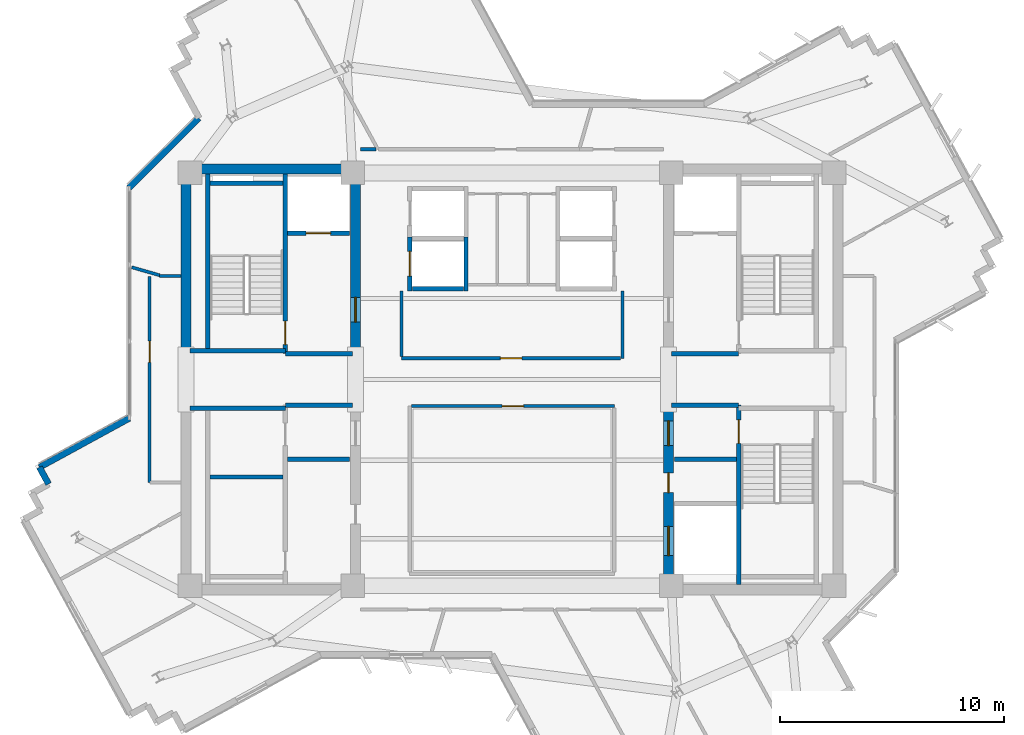
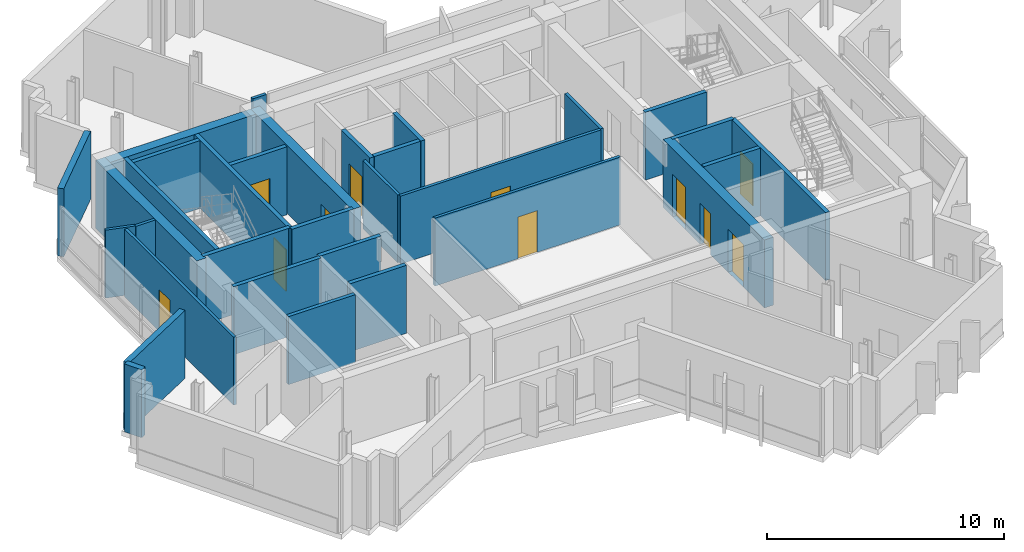
# One storey, part 6 of 13: 32 walls, 11 doors, 11 openings.
"""IFC4 building model written with IfcOpenShell, lengths in metres."""

from ifc_helpers import new_model, si_unit, direction, frame, frame_2d, origin, place, context, subcontext, project, spatial, rectangle, extrude, source, transform, mapped, material, layer, layer_set, type_object, element, fill, save


model = new_model("IFC4")

# Units and contexts
model_context = context("Model", 3, precision=1e-05, world=origin(), true_north=direction((0.0, 1.0)))
body_context = subcontext(model_context, "Body", "Model", "MODEL_VIEW")
ifc_project = project(units=[si_unit("LENGTHUNIT", "METRE"), si_unit("AREAUNIT", "SQUARE_METRE"), si_unit("VOLUMEUNIT", "CUBIC_METRE"), si_unit("PLANEANGLEUNIT", "RADIAN"), si_unit("MASSUNIT", "GRAM", prefix="KILO")], contexts=[model_context])

# Site, building, storey
site_placement = place(None, origin())
site = spatial("IfcSite", under=ifc_project, at=site_placement, CompositionType="ELEMENT")
building_placement = place(site_placement, origin())
building = spatial("IfcBuilding", under=site, at=building_placement, Name="Zahravan Cultural Tower", CompositionType="ELEMENT")
storey_placement = place(building_placement, frame((0.0, 0.0, 254.10009765625)))
storey = spatial("IfcBuildingStorey", under=building, at=storey_placement, Name="L60", CompositionType="ELEMENT", Elevation=254.10009765625)

# Wall, opening, door
ifc_material_1 = material(Name="Concrete C50/60", Category="concrete")
ifc_layer_1 = layer(ifc_material_1, 0.449951171875)
ifc_layer_set_1 = layer_set([ifc_layer_1], Name="Concrete C50/60")
wall_type_1 = type_object("IfcWallType", Name="CW-SHEAR-450-C50", PredefinedType="SHEAR", material=ifc_layer_set_1)
wall_1_placement = place(storey_placement, frame((29.02490234375, 28.050048828125, 0.0), z_axis=(0.0, 0.0, 1.0), x_axis=(0.0, 1.0, 0.0)))
wall_1 = element("IfcWall", 1, at=wall_1_placement, inside=storey, type_object=wall_type_1, Name="L60 Core Shear Wall CW-W-EN-L60", PredefinedType="SHEAR", context=body_context, shape_type="SweptSolid", body=[
    extrude(rectangle(XDim=8.550048828125, YDim=0.449951171875, at=frame_2d((4.27490234375, 0.0))), origin(), (0.0, 0.0, 1.0), 3.5),
])
opening_1_placement = place(wall_1_placement, frame((1.5, 0.0, 0.0)))
opening_1 = element("IfcOpeningElement", 2, at=opening_1_placement, cuts=wall_1, Name="Opening D-L60-06", PredefinedType="OPENING", context=body_context, shape_type="SweptSolid", body=[
    extrude(rectangle(XDim=1.10009765625, YDim=2.199951171875, at=frame_2d((0.550048828125, 1.10009765625))), frame((0.0, 0.23486328125, 0.0), z_axis=(0.0, -1.0, 0.0), x_axis=(1.0, 0.0, 0.0)), (0.0, 0.0, 1.0), 0.469970703125),
])
ifc_material_2 = material(Name="Steel ASTM A572 Grade 50", Category="steel")
door_type_1 = type_object("IfcDoorType", Name="DR-LOBBY-1100", OperationType="NOTDEFINED", PredefinedType="DOOR", material=ifc_material_2)
shared_shape_1 = source(origin(), body_context, "Body", "SweptSolid", [
    extrude(rectangle(XDim=1.10009765625, YDim=2.199951171875, at=frame_2d((0.550048828125, 1.10009765625))), frame((0.0, 0.02490234375, 0.0), z_axis=(0.0, -1.0, 0.0), x_axis=(1.0, 0.0, 0.0)), (0.0, 0.0, 1.0), 0.050048828125),
])
door_1_placement = place(opening_1_placement, origin())
door_1 = element("IfcDoor", 3, at=door_1_placement, inside=storey, type_object=door_type_1, Name="L60 Door D-L60-06", OperationType="SINGLE_SWING_RIGHT", OverallHeight=2.199951171875, OverallWidth=1.10009765625, PredefinedType="DOOR", context=body_context, shape_type="MappedRepresentation", body=[
    mapped(shared_shape_1, transform((0.0, 0.0, 0.0), x_axis=(1.0, 0.0, 0.0), y_axis=(0.0, 1.0, 0.0), z_axis=(0.0, 0.0, 1.0), scale=1.0)),
])
fill(opening_1, door_1)

# Wall, openings, doors
wall_2_placement = place(storey_placement, frame((42.97509765625, 17.39990234375, 0.0), z_axis=(0.0, 0.0, 1.0), x_axis=(0.0, 1.0, 0.0)))
wall_2 = element("IfcWall", 4, at=wall_2_placement, inside=storey, type_object=wall_type_1, Name="L60 Core Shear Wall CW-E-WS-L60", PredefinedType="SHEAR", context=body_context, shape_type="SweptSolid", body=[
    extrude(rectangle(XDim=8.550048828125, YDim=0.449951171875, at=frame_2d((4.27490234375, 0.0))), origin(), (0.0, 0.0, 1.0), 3.5),
])
opening_2_placement = place(wall_2_placement, frame((6.64990234375, 0.0, 0.0)))
opening_2 = element("IfcOpeningElement", 5, at=opening_2_placement, cuts=wall_2, Name="Opening D-L60-09", PredefinedType="OPENING", context=body_context, shape_type="SweptSolid", body=[
    extrude(rectangle(XDim=1.10009765625, YDim=2.199951171875, at=frame_2d((0.550048828125, 1.10009765625))), frame((0.0, 0.23486328125, 0.0), z_axis=(0.0, -1.0, 0.0), x_axis=(1.0, 0.0, 0.0)), (0.0, 0.0, 1.0), 0.469970703125),
])
opening_3_placement = place(wall_2_placement, frame((1.75, 0.0, 0.0)))
opening_3 = element("IfcOpeningElement", 6, at=opening_3_placement, cuts=wall_2, Name="Opening LD-L60-03", PredefinedType="OPENING", context=body_context, shape_type="SweptSolid", body=[
    extrude(rectangle(XDim=1.300048828125, YDim=2.199951171875, at=frame_2d((0.64990234375, 1.10009765625))), frame((0.0, 0.23486328125, 0.0), z_axis=(0.0, -1.0, 0.0), x_axis=(1.0, 0.0, 0.0)), (0.0, 0.0, 1.0), 0.469970703125),
])
opening_4_placement = place(wall_2_placement, frame((4.550048828125, 0.0, 0.0)))
opening_4 = element("IfcOpeningElement", 7, at=opening_4_placement, cuts=wall_2, Name="Opening D-L60-11", PredefinedType="OPENING", context=body_context, shape_type="SweptSolid", body=[
    extrude(rectangle(XDim=0.8798828125, YDim=2.10009765625, at=frame_2d((0.43994140625, 1.050048828125))), frame((0.0, 0.23486328125, 0.0), z_axis=(0.0, -1.0, 0.0), x_axis=(1.0, 0.0, 0.0)), (0.0, 0.0, 1.0), 0.469970703125),
])
door_2_placement = place(opening_2_placement, origin())
door_2 = element("IfcDoor", 8, at=door_2_placement, inside=storey, type_object=door_type_1, Name="L60 Door D-L60-09", OperationType="SINGLE_SWING_LEFT", OverallHeight=2.199951171875, OverallWidth=1.10009765625, PredefinedType="DOOR", context=body_context, shape_type="MappedRepresentation", body=[
    mapped(shared_shape_1, transform((0.0, 0.0, 0.0), x_axis=(1.0, 0.0, 0.0), y_axis=(0.0, 1.0, 0.0), z_axis=(0.0, 0.0, 1.0), scale=1.0)),
])
fill(opening_2, door_2)
door_type_2 = type_object("IfcDoorType", Name="DR-LIFT-1300", OperationType="DOUBLE_DOOR_SLIDING", PredefinedType="DOOR", material=ifc_material_2)
shared_shape_2 = source(origin(), body_context, "Body", "SweptSolid", [
    extrude(rectangle(XDim=1.300048828125, YDim=2.199951171875, at=frame_2d((0.64990234375, 1.10009765625))), frame((0.0, 0.02490234375, 0.0), z_axis=(0.0, -1.0, 0.0), x_axis=(1.0, 0.0, 0.0)), (0.0, 0.0, 1.0), 0.050048828125),
])
door_3_placement = place(opening_3_placement, origin())
door_3 = element("IfcDoor", 9, at=door_3_placement, inside=storey, type_object=door_type_2, Name="L60 Door LD-L60-03", OperationType="DOUBLE_DOOR_SLIDING", OverallHeight=2.199951171875, OverallWidth=1.300048828125, PredefinedType="DOOR", context=body_context, shape_type="MappedRepresentation", body=[
    mapped(shared_shape_2, transform((0.0, 0.0, 0.0), x_axis=(1.0, 0.0, 0.0), y_axis=(0.0, 1.0, 0.0), z_axis=(0.0, 0.0, 1.0), scale=1.0)),
])
fill(opening_3, door_3)
door_type_3 = type_object("IfcDoorType", Name="DR-SVC-880", OperationType="NOTDEFINED", PredefinedType="DOOR", material=ifc_material_2)
shared_shape_3 = source(origin(), body_context, "Body", "SweptSolid", [
    extrude(rectangle(XDim=0.8798828125, YDim=2.10009765625, at=frame_2d((0.43994140625, 1.050048828125))), frame((0.0, 0.02490234375, 0.0), z_axis=(0.0, -1.0, 0.0), x_axis=(1.0, 0.0, 0.0)), (0.0, 0.0, 1.0), 0.050048828125),
])
door_4_placement = place(opening_4_placement, origin())
door_4 = element("IfcDoor", 10, at=door_4_placement, inside=storey, type_object=door_type_3, Name="L60 Door D-L60-11", OperationType="SINGLE_SWING_LEFT", OverallHeight=2.10009765625, OverallWidth=0.8798828125, PredefinedType="DOOR", context=body_context, shape_type="MappedRepresentation", body=[
    mapped(shared_shape_3, transform((0.0, 0.0, 0.0), x_axis=(1.0, 0.0, 0.0), y_axis=(0.0, 1.0, 0.0), z_axis=(0.0, 0.0, 1.0), scale=1.0)),
])
fill(opening_4, door_4)

# Wall, opening, door
ifc_material_3 = material(Name="Gypsum plasterboard partition")
ifc_layer_2 = layer(ifc_material_3, 0.139892578125)
ifc_layer_set_2 = layer_set([ifc_layer_2], Name="Gypsum plasterboard partition")
wall_type_2 = type_object("IfcWallType", Name="W-PART-140", PredefinedType="PARTITIONING", material=ifc_layer_set_2)
wall_3_placement = place(storey_placement, frame((40.844970703125, 27.93994140625, 0.0), z_axis=(0.0, 0.0, 1.0), x_axis=(-1.0, 0.0, 0.0)))
wall_3 = element("IfcWall", 11, at=wall_3_placement, inside=storey, type_object=wall_type_2, Name="L60 Interior Wall 058", PredefinedType="PARTITIONING", context=body_context, shape_type="SweptSolid", body=[
    extrude(rectangle(XDim=9.764892578125, YDim=0.139892578125, at=frame_2d((4.88232421875, 0.0))), origin(), (0.0, 0.0, 1.0), 3.5),
])
opening_5_placement = place(wall_3_placement, frame((4.407470703125, 0.0, 0.0)))
opening_5 = element("IfcOpeningElement", 12, at=opening_5_placement, cuts=wall_3, Name="Opening D-L60-16", PredefinedType="OPENING", context=body_context, shape_type="SweptSolid", body=[
    extrude(rectangle(XDim=0.949951171875, YDim=2.14990234375, at=frame_2d((0.47509765625, 1.074951171875))), frame((0.0, 0.079833984375, 0.0), z_axis=(0.0, -1.0, 0.0), x_axis=(1.0, 0.0, 0.0)), (0.0, 0.0, 1.0), 0.159912109375),
])
ifc_material_4 = material(Name="Anodised bronze-aluminium mullion", Category="aluminium")
door_type_4 = type_object("IfcDoorType", Name="DR-ROOM-950", OperationType="NOTDEFINED", PredefinedType="DOOR", material=ifc_material_4)
shared_shape_4 = source(origin(), body_context, "Body", "SweptSolid", [
    extrude(rectangle(XDim=0.949951171875, YDim=2.14990234375, at=frame_2d((0.47509765625, 1.074951171875))), frame((0.0, 0.02490234375, 0.0), z_axis=(0.0, -1.0, 0.0), x_axis=(1.0, 0.0, 0.0)), (0.0, 0.0, 1.0), 0.050048828125),
])
door_5_placement = place(opening_5_placement, origin())
door_5 = element("IfcDoor", 13, at=door_5_placement, inside=storey, type_object=door_type_4, Name="L60 Door D-L60-16", OperationType="SINGLE_SWING_RIGHT", OverallHeight=2.14990234375, OverallWidth=0.949951171875, PredefinedType="DOOR", context=body_context, shape_type="MappedRepresentation", body=[
    mapped(shared_shape_4, transform((0.0, 0.0, 0.0), x_axis=(1.0, 0.0, 0.0), y_axis=(0.0, 1.0, 0.0), z_axis=(0.0, 0.0, 1.0), scale=1.0)),
])
fill(opening_5, door_5)

wall_4_placement = place(storey_placement, frame((19.85009765625, 31.593994140625, 0.0), z_axis=(0.0, 0.0, 1.0), x_axis=(2.657666e-05, -0.999999999647, 0.0)))
wall_4 = element("IfcWall", 14, at=wall_4_placement, inside=storey, type_object=wall_type_2, Name="L60 Interior Wall 064", PredefinedType="PARTITIONING", context=body_context, shape_type="SweptSolid", body=[
    extrude(rectangle(XDim=9.186279296875, YDim=0.139892578125, at=frame_2d((4.59326171875, 0.0))), origin(), (0.0, 0.0, 1.0), 3.5),
])
opening_6_placement = place(wall_4_placement, frame((2.8828125, 0.0, 0.0)))
opening_6 = element("IfcOpeningElement", 15, at=opening_6_placement, cuts=wall_4, Name="Opening D-L60-20", PredefinedType="OPENING", context=body_context, shape_type="SweptSolid", body=[
    extrude(rectangle(XDim=0.949951171875, YDim=2.14990234375, at=frame_2d((0.47509765625, 1.074951171875))), frame((0.0, 0.079833984375, 0.0), z_axis=(0.0, -1.0, 0.0), x_axis=(1.0, 0.0, 0.0)), (0.0, 0.0, 1.0), 0.159912109375),
])
door_6_placement = place(opening_6_placement, origin())
door_6 = element("IfcDoor", 16, at=door_6_placement, inside=storey, type_object=door_type_4, Name="L60 Door D-L60-20", OperationType="SINGLE_SWING_RIGHT", OverallHeight=2.14990234375, OverallWidth=0.949951171875, PredefinedType="DOOR", context=body_context, shape_type="MappedRepresentation", body=[
    mapped(shared_shape_4, transform((0.0, 0.0, 0.0), x_axis=(1.0, 0.0, 0.0), y_axis=(0.0, 1.0, 0.0), z_axis=(0.0, 0.0, 1.0), scale=1.0)),
])
fill(opening_6, door_6)

wall_5_placement = place(storey_placement, frame((31.514892578125, 25.81005859375, 0.0), z_axis=(0.0, 0.0, 1.0), x_axis=(1.0, 0.0, 0.0)))
wall_5 = element("IfcWall", 17, at=wall_5_placement, inside=storey, type_object=wall_type_2, Name="L60 Interior Wall 083", PredefinedType="PARTITIONING", context=body_context, shape_type="SweptSolid", body=[
    extrude(rectangle(XDim=9.045166015625, YDim=0.139892578125, at=frame_2d((4.5224609375, 0.0))), origin(), (0.0, 0.0, 1.0), 3.5),
])
opening_7_placement = place(wall_5_placement, frame((4.047607421875, 0.0, 0.0)))
opening_7 = element("IfcOpeningElement", 18, at=opening_7_placement, cuts=wall_5, Name="Opening D-L60-12", PredefinedType="OPENING", context=body_context, shape_type="SweptSolid", body=[
    extrude(rectangle(XDim=0.949951171875, YDim=2.14990234375, at=frame_2d((0.47509765625, 1.074951171875))), frame((0.0, 0.079833984375, 0.0), z_axis=(0.0, -1.0, 0.0), x_axis=(1.0, 0.0, 0.0)), (0.0, 0.0, 1.0), 0.159912109375),
])
door_7_placement = place(opening_7_placement, origin())
door_7 = element("IfcDoor", 19, at=door_7_placement, inside=storey, type_object=door_type_4, Name="L60 Door D-L60-12", OperationType="SINGLE_SWING_RIGHT", OverallHeight=2.14990234375, OverallWidth=0.949951171875, PredefinedType="DOOR", context=body_context, shape_type="MappedRepresentation", body=[
    mapped(shared_shape_4, transform((0.0, 0.0, 0.0), x_axis=(1.0, 0.0, 0.0), y_axis=(0.0, 1.0, 0.0), z_axis=(0.0, 0.0, 1.0), scale=1.0)),
])
fill(opening_7, door_7)

ifc_material_5 = material(Name="Concrete C45/55", Category="concrete")
ifc_layer_3 = layer(ifc_material_5, 0.199951171875)
ifc_layer_set_3 = layer_set([ifc_layer_3], Name="Concrete C45/55")
wall_type_3 = type_object("IfcWallType", Name="W-SHAFT-200", PredefinedType="SOLIDWALL", material=ifc_layer_set_3)
wall_6_placement = place(storey_placement, frame((25.89990234375, 28.14990234375, 0.0), z_axis=(0.0, 0.0, 1.0), x_axis=(0.0, 1.0, 0.0)))
wall_6 = element("IfcWall", 20, at=wall_6_placement, inside=storey, type_object=wall_type_3, Name="L60 Interior Wall 006", PredefinedType="SOLIDWALL", context=body_context, shape_type="SweptSolid", body=[
    extrude(rectangle(XDim=8.0, YDim=0.199951171875, at=frame_2d((4.0, 0.0))), origin(), (0.0, 0.0, 1.0), 3.5),
])
opening_8_placement = place(wall_6_placement, frame((0.39990234375, 0.0, 0.0)))
opening_8 = element("IfcOpeningElement", 21, at=opening_8_placement, cuts=wall_6, Name="Opening D-L60-01", PredefinedType="OPENING", context=body_context, shape_type="SweptSolid", body=[
    extrude(rectangle(XDim=1.050048828125, YDim=2.14990234375, at=frame_2d((0.52490234375, 1.074951171875))), frame((0.0, 0.10986328125, 0.0), z_axis=(0.0, -1.0, 0.0), x_axis=(1.0, 0.0, 0.0)), (0.0, 0.0, 1.0), 0.219970703125),
])
door_type_5 = type_object("IfcDoorType", Name="DR-STAIR-1050", OperationType="NOTDEFINED", PredefinedType="DOOR", material=ifc_material_2)
shared_shape_5 = source(origin(), body_context, "Body", "SweptSolid", [
    extrude(rectangle(XDim=1.050048828125, YDim=2.14990234375, at=frame_2d((0.52490234375, 1.074951171875))), frame((0.0, 0.02490234375, 0.0), z_axis=(0.0, -1.0, 0.0), x_axis=(1.0, 0.0, 0.0)), (0.0, 0.0, 1.0), 0.050048828125),
])
door_8_placement = place(opening_8_placement, origin())
door_8 = element("IfcDoor", 22, at=door_8_placement, inside=storey, type_object=door_type_5, Name="L60 Door D-L60-01", OperationType="SINGLE_SWING_LEFT", OverallHeight=2.14990234375, OverallWidth=1.050048828125, PredefinedType="DOOR", context=body_context, shape_type="MappedRepresentation", body=[
    mapped(shared_shape_5, transform((0.0, 0.0, 0.0), x_axis=(1.0, 0.0, 0.0), y_axis=(0.0, 1.0, 0.0), z_axis=(0.0, 0.0, 1.0), scale=1.0)),
])
fill(opening_8, door_8)

wall_7_placement = place(storey_placement, frame((46.10009765625, 17.85009765625, 0.0), z_axis=(0.0, 0.0, 1.0), x_axis=(0.0, 1.0, 0.0)))
wall_7 = element("IfcWall", 23, at=wall_7_placement, inside=storey, type_object=wall_type_3, Name="L60 Interior Wall 007", PredefinedType="SOLIDWALL", context=body_context, shape_type="SweptSolid", body=[
    extrude(rectangle(XDim=8.0, YDim=0.199951171875, at=frame_2d((4.0, 0.0))), origin(), (0.0, 0.0, 1.0), 3.5),
])
opening_9_placement = place(wall_7_placement, frame((6.300048828125, 0.0, 0.0)))
opening_9 = element("IfcOpeningElement", 24, at=opening_9_placement, cuts=wall_7, Name="Opening D-L60-03", PredefinedType="OPENING", context=body_context, shape_type="SweptSolid", body=[
    extrude(rectangle(XDim=1.050048828125, YDim=2.14990234375, at=frame_2d((0.52490234375, 1.074951171875))), frame((0.0, 0.10986328125, 0.0), z_axis=(0.0, -1.0, 0.0), x_axis=(1.0, 0.0, 0.0)), (0.0, 0.0, 1.0), 0.219970703125),
])
door_9_placement = place(opening_9_placement, origin())
door_9 = element("IfcDoor", 25, at=door_9_placement, inside=storey, type_object=door_type_5, Name="L60 Door D-L60-03", OperationType="SINGLE_SWING_LEFT", OverallHeight=2.14990234375, OverallWidth=1.050048828125, PredefinedType="DOOR", context=body_context, shape_type="MappedRepresentation", body=[
    mapped(shared_shape_5, transform((0.0, 0.0, 0.0), x_axis=(1.0, 0.0, 0.0), y_axis=(0.0, 1.0, 0.0), z_axis=(0.0, 0.0, 1.0), scale=1.0)),
])
fill(opening_9, door_9)

wall_8_placement = place(storey_placement, frame((26.0, 33.52001953125, 0.0), z_axis=(0.0, 0.0, 1.0), x_axis=(1.0, 0.0, 0.0)))
wall_8 = element("IfcWall", 26, at=wall_8_placement, inside=storey, type_object=wall_type_3, Name="L60 Interior Wall 022", PredefinedType="SOLIDWALL", context=body_context, shape_type="SweptSolid", body=[
    extrude(rectangle(XDim=2.75, YDim=0.199951171875, at=frame_2d((1.375, 0.0))), origin(), (0.0, 0.0, 1.0), 3.5),
])
opening_10_placement = place(wall_8_placement, frame((0.820068359375, 0.0, 0.0)))
opening_10 = element("IfcOpeningElement", 27, at=opening_10_placement, cuts=wall_8, Name="Opening LD-L60-01", PredefinedType="OPENING", context=body_context, shape_type="SweptSolid", body=[
    extrude(rectangle(XDim=1.10009765625, YDim=2.14990234375, at=frame_2d((0.550048828125, 1.074951171875))), frame((0.0, 0.10986328125, 0.0), z_axis=(0.0, -1.0, 0.0), x_axis=(1.0, 0.0, 0.0)), (0.0, 0.0, 1.0), 0.219970703125),
])
door_type_6 = type_object("IfcDoorType", Name="DR-LIFT-1100", OperationType="DOUBLE_DOOR_SLIDING", PredefinedType="DOOR", material=ifc_material_2)
shared_shape_6 = source(origin(), body_context, "Body", "SweptSolid", [
    extrude(rectangle(XDim=1.10009765625, YDim=2.14990234375, at=frame_2d((0.550048828125, 1.074951171875))), frame((0.0, 0.02490234375, 0.0), z_axis=(0.0, -1.0, 0.0), x_axis=(1.0, 0.0, 0.0)), (0.0, 0.0, 1.0), 0.050048828125),
])
door_10_placement = place(opening_10_placement, origin())
door_10 = element("IfcDoor", 28, at=door_10_placement, inside=storey, type_object=door_type_6, Name="L60 Door LD-L60-01", OperationType="DOUBLE_DOOR_SLIDING", OverallHeight=2.14990234375, OverallWidth=1.10009765625, PredefinedType="DOOR", context=body_context, shape_type="MappedRepresentation", body=[
    mapped(shared_shape_6, transform((0.0, 0.0, 0.0), x_axis=(1.0, 0.0, 0.0), y_axis=(0.0, 1.0, 0.0), z_axis=(0.0, 0.0, 1.0), scale=1.0)),
])
fill(opening_10, door_10)

wall_9_placement = place(storey_placement, frame((31.449951171875, 30.949951171875, 0.0), z_axis=(0.0, 0.0, 1.0), x_axis=(0.0, 1.0, 0.0)))
wall_9 = element("IfcWall", 29, at=wall_9_placement, inside=storey, type_object=wall_type_3, Name="L60 Interior Wall 031", PredefinedType="SOLIDWALL", context=body_context, shape_type="SweptSolid", body=[
    extrude(rectangle(XDim=2.400146484375, YDim=0.199951171875, at=frame_2d((1.2001953125, 0.0))), origin(), (0.0, 0.0, 1.0), 3.5),
])
opening_11_placement = place(wall_9_placement, frame((0.64990234375, 0.0, 0.0)))
opening_11 = element("IfcOpeningElement", 30, at=opening_11_placement, cuts=wall_9, Name="Opening LD-L60-05", PredefinedType="OPENING", context=body_context, shape_type="SweptSolid", body=[
    extrude(rectangle(XDim=1.10009765625, YDim=2.14990234375, at=frame_2d((0.550048828125, 1.074951171875))), frame((0.0, 0.10986328125, 0.0), z_axis=(0.0, -1.0, 0.0), x_axis=(1.0, 0.0, 0.0)), (0.0, 0.0, 1.0), 0.219970703125),
])
door_11_placement = place(opening_11_placement, origin())
door_11 = element("IfcDoor", 31, at=door_11_placement, inside=storey, type_object=door_type_6, Name="L60 Door LD-L60-05", OperationType="DOUBLE_DOOR_SLIDING", OverallHeight=2.14990234375, OverallWidth=1.10009765625, PredefinedType="DOOR", context=body_context, shape_type="MappedRepresentation", body=[
    mapped(shared_shape_6, transform((0.0, 0.0, 0.0), x_axis=(1.0, 0.0, 0.0), y_axis=(0.0, 1.0, 0.0), z_axis=(0.0, 0.0, 1.0), scale=1.0)),
])
fill(opening_11, door_11)

# Walls
shared_shape_7 = source(origin(), body_context, "Body", "SweptSolid", [
    extrude(rectangle(XDim=8.550048828125, YDim=0.449951171875, at=frame_2d((4.27490234375, 0.0))), origin(), (0.0, 0.0, 1.0), 3.5),
])
wall_10_placement = place(storey_placement, frame((21.47509765625, 28.050048828125, 0.0), z_axis=(0.0, 0.0, 1.0), x_axis=(0.0, 1.0, 0.0)))
element("IfcWall", 32, at=wall_10_placement, inside=storey, type_object=wall_type_1, Name="L60 Core Shear Wall CW-W-WN-L60", PredefinedType="SHEAR", context=body_context, shape_type="MappedRepresentation", body=[
    mapped(shared_shape_7, transform((0.0, 0.0, 0.0), x_axis=(1.0, 0.0, 0.0), y_axis=(0.0, 1.0, 0.0), z_axis=(0.0, 0.0, 1.0), scale=1.0)),
])
shared_shape_8 = source(origin(), body_context, "Body", "SweptSolid", [
    extrude(rectangle(XDim=7.10009765625, YDim=0.449951171875, at=frame_2d((3.550048828125, 0.0))), origin(), (0.0, 0.0, 1.0), 3.5),
])
wall_11_placement = place(storey_placement, frame((21.699951171875, 36.375, 0.0), z_axis=(0.0, 0.0, 1.0), x_axis=(1.0, 0.0, 0.0)))
element("IfcWall", 33, at=wall_11_placement, inside=storey, type_object=wall_type_1, Name="L60 Core Shear Wall CW-W-N-L60", PredefinedType="SHEAR", context=body_context, shape_type="MappedRepresentation", body=[
    mapped(shared_shape_8, transform((0.0, 0.0, 0.0), x_axis=(1.0, 0.0, 0.0), y_axis=(0.0, 1.0, 0.0), z_axis=(0.0, 0.0, 1.0), scale=1.0)),
])
ifc_material_6 = material(Name="Precast concrete C40/50", Category="concrete")
ifc_layer_4 = layer(ifc_material_6, 0.280029296875)
ifc_layer_set_4 = layer_set([ifc_layer_4], Name="Precast concrete C40/50")
wall_type_4 = type_object("IfcWallType", Name="EW-TC-280", PredefinedType="SOLIDWALL", material=ifc_layer_set_4)
shared_shape_9 = source(origin(), body_context, "Body", "SweptSolid", [
    extrude(rectangle(XDim=0.85009765625, YDim=0.280029296875, at=frame_2d((0.425048828125, 0.0))), origin(), (0.0, 0.0, 1.0), 3.5),
])
wall_12_placement = place(storey_placement, frame((15.34716796875, 22.3369140625, 0.0), z_axis=(0.0, 0.0, 1.0), x_axis=(-0.479314855696, 0.877643019177, 0.0)))
element("IfcWall", 34, at=wall_12_placement, inside=storey, type_object=wall_type_4, Name="L60 Exterior Masonry Frame Wall 34", PredefinedType="SOLIDWALL", context=body_context, shape_type="MappedRepresentation", body=[
    mapped(shared_shape_9, transform((0.0, 0.0, 0.0), x_axis=(1.0, 0.0, 0.0), y_axis=(0.0, 1.0, 0.0), z_axis=(0.0, 0.0, 1.0), scale=1.0)),
])
shared_shape_10 = source(origin(), body_context, "Body", "SweptSolid", [
    extrude(rectangle(XDim=4.558349609375, YDim=0.280029296875, at=frame_2d((2.279296875, 0.0))), origin(), (0.0, 0.0, 1.0), 3.5),
])
wall_13_placement = place(storey_placement, frame((14.939697265625, 23.0830078125, 0.0), z_axis=(0.0, 0.0, 1.0), x_axis=(0.877563774399, 0.479459927276, 0.0)))
element("IfcWall", 35, at=wall_13_placement, inside=storey, type_object=wall_type_4, Name="L60 Exterior Masonry Frame Wall 35", PredefinedType="SOLIDWALL", context=body_context, shape_type="MappedRepresentation", body=[
    mapped(shared_shape_10, transform((0.0, 0.0, 0.0), x_axis=(1.0, 0.0, 0.0), y_axis=(0.0, 1.0, 0.0), z_axis=(0.0, 0.0, 1.0), scale=1.0)),
])
shared_shape_11 = source(origin(), body_context, "Body", "SweptSolid", [
    extrude(rectangle(XDim=4.3935546875, YDim=0.280029296875, at=frame_2d((2.19677734375, 0.0))), origin(), (0.0, 0.0, 1.0), 3.5),
])
wall_14_placement = place(storey_placement, frame((18.93994140625, 35.5419921875, 0.0), z_axis=(0.0, 0.0, 1.0), x_axis=(0.707106781187, 0.707106781187, 0.0)))
element("IfcWall", 36, at=wall_14_placement, inside=storey, type_object=wall_type_4, Name="L60 Exterior Masonry Frame Wall 36", PredefinedType="SOLIDWALL", context=body_context, shape_type="MappedRepresentation", body=[
    mapped(shared_shape_11, transform((0.0, 0.0, 0.0), x_axis=(1.0, 0.0, 0.0), y_axis=(0.0, 1.0, 0.0), z_axis=(0.0, 0.0, 1.0), scale=1.0)),
])
shared_shape_12 = source(origin(), body_context, "Body", "SweptSolid", [
    extrude(rectangle(XDim=7.869873046875, YDim=0.199951171875, at=frame_2d((3.93505859375, 0.0))), origin(), (0.0, 0.0, 1.0), 3.5),
])
wall_15_placement = place(storey_placement, frame((22.449951171875, 28.280029296875, 0.0), z_axis=(0.0, 0.0, 1.0), x_axis=(0.0, 1.0, 0.0)))
element("IfcWall", 37, at=wall_15_placement, inside=storey, type_object=wall_type_3, Name="L60 Interior Wall 002", PredefinedType="SOLIDWALL", context=body_context, shape_type="MappedRepresentation", body=[
    mapped(shared_shape_12, transform((0.0, 0.0, 0.0), x_axis=(1.0, 0.0, 0.0), y_axis=(0.0, 1.0, 0.0), z_axis=(0.0, 0.0, 1.0), scale=1.0)),
])
shared_shape_13 = source(origin(), body_context, "Body", "SweptSolid", [
    extrude(rectangle(XDim=4.25, YDim=0.199951171875, at=frame_2d((2.125, 0.0))), origin(), (0.0, 0.0, 1.0), 3.5),
])
for number, where, z_axis, x_axis, name in (
    (38, (21.64990234375, 25.715087890625, 0.0), (0.0, 0.0, 1.0), (1.0, 0.0, 0.0), "L60 Interior Wall 009"),
    (39, (21.64990234375, 28.284912109375, 0.0), (0.0, 0.0, 1.0), (1.0, 0.0, 0.0), "L60 Interior Wall 011"),
):
    element("IfcWall", number, at=place(storey_placement, frame(where, z_axis=z_axis, x_axis=x_axis)), inside=storey, type_object=wall_type_3, Name=name, PredefinedType="SOLIDWALL", context=body_context, shape_type="MappedRepresentation", body=[
        mapped(shared_shape_13, transform((0.0, 0.0, 0.0), x_axis=(1.0, 0.0, 0.0), y_axis=(0.0, 1.0, 0.0), z_axis=(0.0, 0.0, 1.0), scale=1.0)),
    ])
shared_shape_14 = source(origin(), body_context, "Body", "SweptSolid", [
    extrude(rectangle(XDim=3.0, YDim=0.199951171875, at=frame_2d((1.5, 0.0))), origin(), (0.0, 0.0, 1.0), 3.5),
])
for number, where, z_axis, x_axis, name in (
    (40, (25.89990234375, 25.85009765625, 0.0), (0.0, 0.0, 1.0), (1.0, 0.0, 0.0), "L60 Interior Wall 010"),
    (41, (25.89990234375, 28.14990234375, 0.0), (0.0, 0.0, 1.0), (1.0, 0.0, 0.0), "L60 Interior Wall 012"),
    (42, (43.10009765625, 25.85009765625, 0.0), (0.0, 0.0, 1.0), (1.0, 0.0, 0.0), "L60 Interior Wall 013"),
    (43, (43.10009765625, 28.14990234375, 0.0), (0.0, 0.0, 1.0), (1.0, 0.0, 0.0), "L60 Interior Wall 015"),
):
    element("IfcWall", number, at=place(storey_placement, frame(where, z_axis=z_axis, x_axis=x_axis)), inside=storey, type_object=wall_type_3, Name=name, PredefinedType="SOLIDWALL", context=body_context, shape_type="MappedRepresentation", body=[
        mapped(shared_shape_14, transform((0.0, 0.0, 0.0), x_axis=(1.0, 0.0, 0.0), y_axis=(0.0, 1.0, 0.0), z_axis=(0.0, 0.0, 1.0), scale=1.0)),
    ])
shared_shape_15 = source(origin(), body_context, "Body", "SweptSolid", [
    extrude(rectangle(XDim=3.25, YDim=0.199951171875, at=frame_2d((1.625, 0.0))), origin(), (0.0, 0.0, 1.0), 3.5),
])
wall_16_placement = place(storey_placement, frame((22.550048828125, 35.75, 0.0), z_axis=(0.0, 0.0, 1.0), x_axis=(1.0, 0.0, 0.0)))
element("IfcWall", 44, at=wall_16_placement, inside=storey, type_object=wall_type_3, Name="L60 Interior Wall 017", PredefinedType="SOLIDWALL", context=body_context, shape_type="MappedRepresentation", body=[
    mapped(shared_shape_15, transform((0.0, 0.0, 0.0), x_axis=(1.0, 0.0, 0.0), y_axis=(0.0, 1.0, 0.0), z_axis=(0.0, 0.0, 1.0), scale=1.0)),
])
ifc_layer_5 = layer(ifc_material_3, 0.179931640625)
ifc_layer_set_5 = layer_set([ifc_layer_5], Name="Gypsum plasterboard partition")
wall_type_5 = type_object("IfcWallType", Name="W-COMP-180", PredefinedType="PARTITIONING", material=ifc_layer_set_5)
shared_shape_16 = source(origin(), body_context, "Body", "SweptSolid", [
    extrude(rectangle(XDim=3.25, YDim=0.179931640625, at=frame_2d((1.625, 0.0))), origin(), (0.0, 0.0, 1.0), 3.5),
])
wall_17_placement = place(storey_placement, frame((22.550048828125, 22.64990234375, 0.0), z_axis=(0.0, 0.0, 1.0), x_axis=(1.0, 0.0, 0.0)))
element("IfcWall", 45, at=wall_17_placement, inside=storey, type_object=wall_type_5, Name="L60 Interior Wall 021", PredefinedType="PARTITIONING", context=body_context, shape_type="MappedRepresentation", body=[
    mapped(shared_shape_16, transform((0.0, 0.0, 0.0), x_axis=(1.0, 0.0, 0.0), y_axis=(0.0, 1.0, 0.0), z_axis=(0.0, 0.0, 1.0), scale=1.0)),
])
shared_shape_17 = source(origin(), body_context, "Body", "SweptSolid", [
    extrude(rectangle(XDim=2.75, YDim=0.199951171875, at=frame_2d((1.375, 0.0))), origin(), (0.0, 0.0, 1.0), 3.5),
])
for number, where, z_axis, x_axis, name in (
    (46, (26.0, 23.449951171875, 0.0), (0.0, 0.0, 1.0), (1.0, 0.0, 0.0), "L60 Interior Wall 024"),
    (47, (43.25, 23.449951171875, 0.0), (0.0, 0.0, 1.0), (1.0, 0.0, 0.0), "L60 Interior Wall 025"),
):
    element("IfcWall", number, at=place(storey_placement, frame(where, z_axis=z_axis, x_axis=x_axis)), inside=storey, type_object=wall_type_3, Name=name, PredefinedType="SOLIDWALL", context=body_context, shape_type="MappedRepresentation", body=[
        mapped(shared_shape_17, transform((0.0, 0.0, 0.0), x_axis=(1.0, 0.0, 0.0), y_axis=(0.0, 1.0, 0.0), z_axis=(0.0, 0.0, 1.0), scale=1.0)),
    ])
shared_shape_18 = source(origin(), body_context, "Body", "SweptSolid", [
    extrude(rectangle(XDim=2.400146484375, YDim=0.199951171875, at=frame_2d((1.2001953125, 0.0))), origin(), (0.0, 0.0, 1.0), 3.5),
])
wall_18_placement = place(storey_placement, frame((33.949951171875, 30.949951171875, 0.0), z_axis=(0.0, 0.0, 1.0), x_axis=(0.0, 1.0, 0.0)))
element("IfcWall", 48, at=wall_18_placement, inside=storey, type_object=wall_type_3, Name="L60 Interior Wall 032", PredefinedType="SOLIDWALL", context=body_context, shape_type="MappedRepresentation", body=[
    mapped(shared_shape_18, transform((0.0, 0.0, 0.0), x_axis=(1.0, 0.0, 0.0), y_axis=(0.0, 1.0, 0.0), z_axis=(0.0, 0.0, 1.0), scale=1.0)),
])
shared_shape_19 = source(origin(), body_context, "Body", "SweptSolid", [
    extrude(rectangle(XDim=2.260009765625, YDim=0.199951171875, at=frame_2d((1.1298828125, 0.0))), origin(), (0.0, 0.0, 1.0), 3.5),
])
wall_19_placement = place(storey_placement, frame((31.570068359375, 31.050048828125, 0.0), z_axis=(0.0, 0.0, 1.0), x_axis=(1.0, 0.0, 0.0)))
element("IfcWall", 49, at=wall_19_placement, inside=storey, type_object=wall_type_3, Name="L60 Interior Wall 033", PredefinedType="SOLIDWALL", context=body_context, shape_type="MappedRepresentation", body=[
    mapped(shared_shape_19, transform((0.0, 0.0, 0.0), x_axis=(1.0, 0.0, 0.0), y_axis=(0.0, 1.0, 0.0), z_axis=(0.0, 0.0, 1.0), scale=1.0)),
])
shared_shape_20 = source(origin(), body_context, "Body", "SweptSolid", [
    extrude(rectangle(XDim=3.010009765625, YDim=0.139892578125, at=frame_2d((1.5048828125, 0.0))), origin(), (0.0, 0.0, 1.0), 3.5),
])
wall_20_placement = place(storey_placement, frame((40.919921875, 30.949951171875, 0.0), z_axis=(0.0, 0.0, 1.0), x_axis=(0.0, -1.0, 0.0)))
element("IfcWall", 50, at=wall_20_placement, inside=storey, type_object=wall_type_2, Name="L60 Interior Wall 057", PredefinedType="PARTITIONING", context=body_context, shape_type="MappedRepresentation", body=[
    mapped(shared_shape_20, transform((0.0, 0.0, 0.0), x_axis=(1.0, 0.0, 0.0), y_axis=(0.0, 1.0, 0.0), z_axis=(0.0, 0.0, 1.0), scale=1.0)),
])
shared_shape_21 = source(origin(), body_context, "Body", "SweptSolid", [
    extrude(rectangle(XDim=2.93505859375, YDim=0.139892578125, at=frame_2d((1.467529296875, 0.0))), origin(), (0.0, 0.0, 1.0), 3.5),
])
wall_21_placement = place(storey_placement, frame((31.080078125, 28.014892578125, 0.0), z_axis=(0.0, 0.0, 1.0), x_axis=(0.0, 1.0, 0.0)))
element("IfcWall", 51, at=wall_21_placement, inside=storey, type_object=wall_type_2, Name="L60 Interior Wall 059", PredefinedType="PARTITIONING", context=body_context, shape_type="MappedRepresentation", body=[
    mapped(shared_shape_21, transform((0.0, 0.0, 0.0), x_axis=(1.0, 0.0, 0.0), y_axis=(0.0, 1.0, 0.0), z_axis=(0.0, 0.0, 1.0), scale=1.0)),
])
shared_shape_22 = source(origin(), body_context, "Body", "SweptSolid", [
    extrude(rectangle(XDim=1.3046875, YDim=0.139892578125, at=frame_2d((0.65234375, 0.0))), origin(), (0.0, 0.0, 1.0), 3.5),
])
wall_22_placement = place(storey_placement, frame((19.054931640625, 31.99755859375, 0.0), z_axis=(0.0, 0.0, 1.0), x_axis=(0.960836047515, -0.2771174657, 0.0)))
element("IfcWall", 52, at=wall_22_placement, inside=storey, type_object=wall_type_2, Name="L60 Interior Wall 063", PredefinedType="PARTITIONING", context=body_context, shape_type="MappedRepresentation", body=[
    mapped(shared_shape_22, transform((0.0, 0.0, 0.0), x_axis=(1.0, 0.0, 0.0), y_axis=(0.0, 1.0, 0.0), z_axis=(0.0, 0.0, 1.0), scale=1.0)),
])
shared_shape_23 = source(origin(), body_context, "Body", "SweptSolid", [
    extrude(rectangle(XDim=0.6796875, YDim=0.139892578125, at=frame_2d((0.33984375, 0.0))), origin(), (0.0, 0.0, 1.0), 3.5),
])
wall_23_placement = place(storey_placement, frame((29.93310546875, 37.260009765625, 0.0), z_axis=(0.0, 0.0, 1.0), x_axis=(-0.999999741957, -0.000718390619, 0.0)))
element("IfcWall", 53, at=wall_23_placement, inside=storey, type_object=wall_type_2, Name="L60 Interior Wall 079", PredefinedType="PARTITIONING", context=body_context, shape_type="MappedRepresentation", body=[
    mapped(shared_shape_23, transform((0.0, 0.0, 0.0), x_axis=(1.0, 0.0, 0.0), y_axis=(0.0, 1.0, 0.0), z_axis=(0.0, 0.0, 1.0), scale=1.0)),
])
shared_shape_24 = source(origin(), body_context, "Body", "SweptSolid", [
    extrude(rectangle(XDim=0.947021484375, YDim=0.139892578125, at=frame_2d((0.4736328125, 0.0))), origin(), (0.0, 0.0, 1.0), 3.5),
])
wall_24_placement = place(storey_placement, frame((21.2451171875, 31.60009765625, 0.0), z_axis=(0.0, 0.0, 1.0), x_axis=(-1.0, 0.0, 0.0)))
element("IfcWall", 54, at=wall_24_placement, inside=storey, type_object=wall_type_2, Name="L60 Interior Wall 080", PredefinedType="PARTITIONING", context=body_context, shape_type="MappedRepresentation", body=[
    mapped(shared_shape_24, transform((0.0, 0.0, 0.0), x_axis=(1.0, 0.0, 0.0), y_axis=(0.0, 1.0, 0.0), z_axis=(0.0, 0.0, 1.0), scale=1.0)),
])

save(model, "model.ifc")
